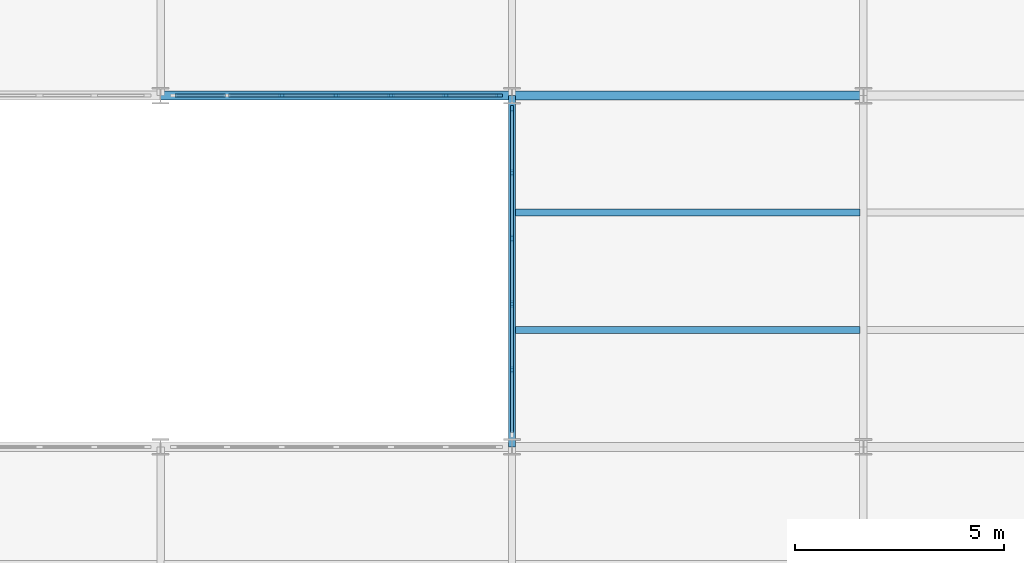
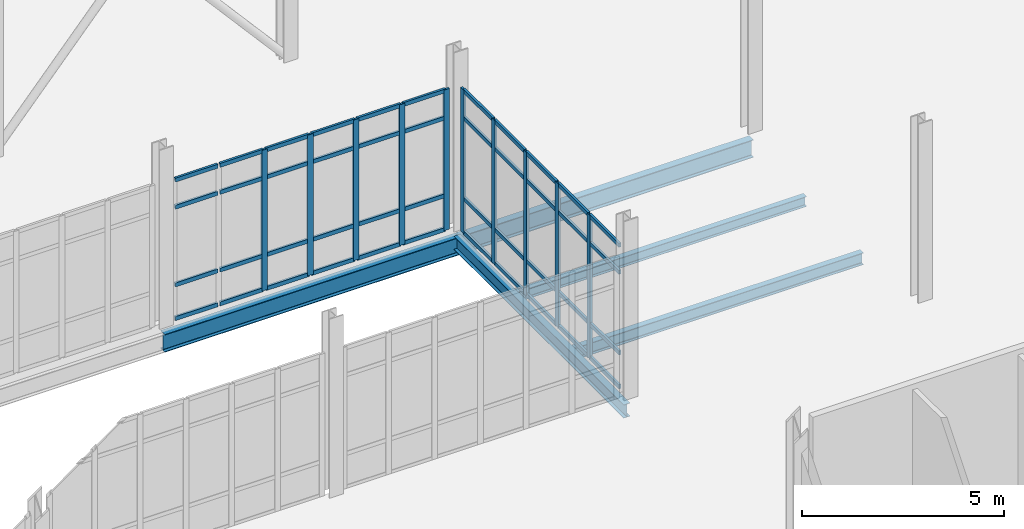
# One storey, part 36 of 111: 54 members, 5 beams, 2 elements without a shape of their own.
"""IFC4 building model written with IfcOpenShell, lengths in metres."""

from ifc_helpers import new_model, si_unit, direction, frame, origin, origin_2d, place, context, subcontext, project, spatial, rectangle, i_section, extrude, material, layer, layer_set, material_profile, profile_set, type_object, element, aggregate, save


model = new_model("IFC4")

# Units and contexts
model_context = context("Model", 3, precision=1e-05, world=origin(), true_north=direction((0.0, 1.0)))
body_context = subcontext(model_context, "Body", "Model", "MODEL_VIEW")
ifc_project = project(units=[si_unit("LENGTHUNIT", "METRE"), si_unit("AREAUNIT", "SQUARE_METRE"), si_unit("VOLUMEUNIT", "CUBIC_METRE"), si_unit("PLANEANGLEUNIT", "RADIAN"), si_unit("MASSUNIT", "GRAM", prefix="KILO"), si_unit("THERMODYNAMICTEMPERATUREUNIT", "KELVIN"), si_unit("POWERUNIT", "WATT")], contexts=[model_context])

# Site, building, storey
site_placement = place(None, origin())
site = spatial("IfcSite", under=ifc_project, at=site_placement, CompositionType="ELEMENT")
building_placement = place(site_placement, origin())
building = spatial("IfcBuilding", under=site, at=building_placement, Name="Tembeka Court Mobility Hub", CompositionType="ELEMENT")
storey_placement = place(building_placement, origin())
storey = spatial("IfcBuildingStorey", under=building, at=storey_placement, Name="L00", CompositionType="ELEMENT", Elevation=0.0)

# Beams
ifc_material_1 = material(Name="Steel S355", Category="steel")
ifc_material_profile_1 = material_profile(ifc_material_1, i_section(OverallWidth=0.177978515625, OverallDepth=0.406005859375, WebThickness=0.0078125, FlangeThickness=0.0126953125, FilletRadius=0.01025390625, at=origin_2d()), Name="UKB 406x178x60")
ifc_profile_set_1 = profile_set([ifc_material_profile_1], Name="Steel S355")
beam_type_1 = type_object("IfcBeamType", Name="BM-B02", PredefinedType="BEAM", material=ifc_profile_set_1)
beam_1_placement = place(storey_placement, frame((58.800048828125, 55.199951171875, -0.48291015625), z_axis=(0.0, 1.0, 0.0), x_axis=(-1.0, 0.0, 0.0)))
element("IfcBeam", 1, at=beam_1_placement, inside=storey, type_object=beam_type_1, Name="Beam B02 (BM-L00-Y0229)", PredefinedType="BEAM", context=body_context, shape_type="SweptSolid", body=[
    extrude(i_section(OverallWidth=0.177978515625, OverallDepth=0.406005859375, WebThickness=0.0078125, FlangeThickness=0.0126953125, FilletRadius=0.01025390625, at=origin_2d()), origin(), (0.0, 0.0, 1.0), 8.400146484375),
])
ifc_material_profile_2 = material_profile(ifc_material_1, i_section(OverallWidth=0.2099609375, OverallDepth=0.537109375, WebThickness=0.0107421875, FlangeThickness=0.017333984375, FilletRadius=0.0126953125, at=origin_2d()), Name="UKB 533x210x101")
ifc_profile_set_2 = profile_set([ifc_material_profile_2], Name="Steel S355")
beam_type_2 = type_object("IfcBeamType", Name="BM-G03", PredefinedType="USERDEFINED", material=ifc_profile_set_2)
beam_2_placement = place(storey_placement, frame((50.39990234375, 63.60009765625, -0.548583984375), z_axis=(1.0, 0.0, 0.0), x_axis=(0.0, 1.0, 0.0)))
element("IfcBeam", 2, at=beam_2_placement, inside=storey, type_object=beam_type_2, Name="Beam G03 (BM-L00-X0096)", ObjectType="GIRDER", PredefinedType="USERDEFINED", context=body_context, shape_type="SweptSolid", body=[
    extrude(i_section(OverallWidth=0.2099609375, OverallDepth=0.537109375, WebThickness=0.0107421875, FlangeThickness=0.017333984375, FilletRadius=0.0126953125, at=origin_2d()), origin(), (0.0, 0.0, 1.0), 8.400146484375),
])
beam_3_placement = place(storey_placement, frame((58.800048828125, 63.60009765625, -0.548583984375), z_axis=(1.0, 0.0, 0.0), x_axis=(0.0, 1.0, 0.0)))
element("IfcBeam", 3, at=beam_3_placement, inside=storey, type_object=beam_type_2, Name="Beam G03 (BM-L00-X0097)", ObjectType="GIRDER", PredefinedType="USERDEFINED", context=body_context, shape_type="SweptSolid", body=[
    extrude(i_section(OverallWidth=0.2099609375, OverallDepth=0.537109375, WebThickness=0.0107421875, FlangeThickness=0.017333984375, FilletRadius=0.0126953125, at=origin_2d()), origin(), (0.0, 0.0, 1.0), 8.39990234375),
])
ifc_material_profile_3 = material_profile(ifc_material_1, i_section(OverallWidth=0.1650390625, OverallDepth=0.303955078125, WebThickness=0.006103515625, FlangeThickness=0.01025390625, FilletRadius=0.0087890625, at=origin_2d()), Name="UKB 305x165x40")
ifc_profile_set_3 = profile_set([ifc_material_profile_3], Name="Steel S355")
beam_type_3 = type_object("IfcBeamType", Name="BM-J02", PredefinedType="JOIST", material=ifc_profile_set_3)
beam_4_placement = place(storey_placement, frame((58.884033203125, 60.800048828125, -0.431884765625), z_axis=(1.0, 0.0, 0.0), x_axis=(0.0, 1.0, 0.0)))
element("IfcBeam", 4, at=beam_4_placement, inside=storey, type_object=beam_type_3, Name="Beam J02 (JST-L00-0460)", PredefinedType="JOIST", context=body_context, shape_type="SweptSolid", body=[
    extrude(i_section(OverallWidth=0.1650390625, OverallDepth=0.303955078125, WebThickness=0.006103515625, FlangeThickness=0.01025390625, FilletRadius=0.0087890625, at=origin_2d()), origin(), (0.0, 0.0, 1.0), 8.23193359375),
])
ifc_material_profile_4 = material_profile(ifc_material_1, i_section(OverallWidth=0.169921875, OverallDepth=0.360107421875, WebThickness=0.008056640625, FlangeThickness=0.0126953125, FilletRadius=0.01806640625, at=origin_2d()), Name="IPE 360")
ifc_profile_set_4 = profile_set([ifc_material_profile_4], Name="Steel S355")
beam_type_4 = type_object("IfcBeamType", Name="BM-J03", PredefinedType="JOIST", material=ifc_profile_set_4)
beam_5_placement = place(storey_placement, frame((58.884033203125, 58.0, -0.4599609375), z_axis=(1.0, 0.0, 0.0), x_axis=(0.0, 1.0, 0.0)))
element("IfcBeam", 5, at=beam_5_placement, inside=storey, type_object=beam_type_4, Name="Beam J03 (JST-L00-0459)", PredefinedType="JOIST", context=body_context, shape_type="SweptSolid", body=[
    extrude(i_section(OverallWidth=0.169921875, OverallDepth=0.360107421875, WebThickness=0.008056640625, FlangeThickness=0.0126953125, FilletRadius=0.01806640625, at=origin_2d()), origin(), (0.0, 0.0, 1.0), 8.23193359375),
])

# Curtain wall, members
ifc_material_2 = material(Name="Anodised aluminium 6063-T6", Category="aluminium")
ifc_layer_1 = layer(ifc_material_2, 0.159912109375)
ifc_layer_set_1 = layer_set([ifc_layer_1], Name="Anodised aluminium 6063-T6")
curtain_wall_type_1 = type_object("IfcCurtainWallType", Name="CW-SYS23", PredefinedType="USERDEFINED", material=ifc_layer_set_1)
curtain_wall_1_placement = place(storey_placement, origin())
curtain_wall_1 = element("IfcCurtainWall", 6, at=curtain_wall_1_placement, inside=storey, type_object=curtain_wall_type_1, Name="Unitised curtain wall CW23 (CW-L00-042)", ObjectType="UNITISED GLAZING", PredefinedType="USERDEFINED")
ifc_material_profile_5 = material_profile(ifc_material_2, rectangle(XDim=0.06494140625, YDim=0.159912109375, at=origin_2d()), Name="ALU-MUL 65x160")
ifc_profile_set_5 = profile_set([ifc_material_profile_5], Name="Anodised aluminium 6063-T6")
member_type_1 = type_object("IfcMemberType", Name="CW-MUL01", PredefinedType="MULLION", material=ifc_profile_set_5)
member_1_placement = place(storey_placement, frame((53.293212890625, 63.60009765625, 0.0), z_axis=(0.0, 0.0, 1.0), x_axis=(0.0, 1.0, 0.0)))
member_1 = element("IfcMember", 7, at=member_1_placement, type_object=member_type_1, Name="CW23 mullion 3", PredefinedType="MULLION", context=body_context, shape_type="SweptSolid", body=[
    extrude(rectangle(XDim=0.06494140625, YDim=0.159912109375, at=origin_2d()), origin(), (0.0, 0.0, 1.0), 4.2451171875),
])
member_2_placement = place(storey_placement, frame((54.60009765625, 63.60009765625, 0.0), z_axis=(0.0, 0.0, 1.0), x_axis=(0.0, 1.0, 0.0)))
member_2 = element("IfcMember", 8, at=member_2_placement, type_object=member_type_1, Name="CW23 mullion 4", PredefinedType="MULLION", context=body_context, shape_type="SweptSolid", body=[
    extrude(rectangle(XDim=0.06494140625, YDim=0.159912109375, at=origin_2d()), origin(), (0.0, 0.0, 1.0), 4.2451171875),
])
member_3_placement = place(storey_placement, frame((55.90673828125, 63.60009765625, 0.0), z_axis=(0.0, 0.0, 1.0), x_axis=(0.0, 1.0, 0.0)))
member_3 = element("IfcMember", 9, at=member_3_placement, type_object=member_type_1, Name="CW23 mullion 5", PredefinedType="MULLION", context=body_context, shape_type="SweptSolid", body=[
    extrude(rectangle(XDim=0.06494140625, YDim=0.159912109375, at=origin_2d()), origin(), (0.0, 0.0, 1.0), 4.2451171875),
])
member_4_placement = place(storey_placement, frame((57.21337890625, 63.60009765625, 0.0), z_axis=(0.0, 0.0, 1.0), x_axis=(0.0, 1.0, 0.0)))
member_4 = element("IfcMember", 10, at=member_4_placement, type_object=member_type_1, Name="CW23 mullion 6", PredefinedType="MULLION", context=body_context, shape_type="SweptSolid", body=[
    extrude(rectangle(XDim=0.06494140625, YDim=0.159912109375, at=origin_2d()), origin(), (0.0, 0.0, 1.0), 4.2451171875),
])
member_5_placement = place(storey_placement, frame((58.487548828125, 63.60009765625, 0.0), z_axis=(0.0, 0.0, 1.0), x_axis=(0.0, 1.0, 0.0)))
member_5 = element("IfcMember", 11, at=member_5_placement, type_object=member_type_1, Name="CW23 mullion 7", PredefinedType="MULLION", context=body_context, shape_type="SweptSolid", body=[
    extrude(rectangle(XDim=0.06494140625, YDim=0.159912109375, at=origin_2d()), origin(), (0.0, 0.0, 1.0), 4.2451171875),
])

ifc_layer_2 = layer(ifc_material_2, 0.159912109375)
ifc_layer_set_2 = layer_set([ifc_layer_2], Name="Anodised aluminium 6063-T6")
curtain_wall_type_2 = type_object("IfcCurtainWallType", Name="CW-SYS01", PredefinedType="USERDEFINED", material=ifc_layer_set_2)
curtain_wall_2_placement = place(storey_placement, origin())
curtain_wall_2 = element("IfcCurtainWall", 12, at=curtain_wall_2_placement, inside=storey, type_object=curtain_wall_type_2, Name="Unitised curtain wall CW01 (CW-L00-044)", ObjectType="UNITISED GLAZING", PredefinedType="USERDEFINED")
member_6_placement = place(storey_placement, frame((58.800048828125, 57.048095703125, 0.0), z_axis=(0.0, 0.0, 1.0), x_axis=(-1.0, 0.0, 0.0)))
member_6 = element("IfcMember", 13, at=member_6_placement, type_object=member_type_1, Name="CW01 mullion 2", PredefinedType="MULLION", context=body_context, shape_type="SweptSolid", body=[
    extrude(rectangle(XDim=0.06494140625, YDim=0.159912109375, at=origin_2d()), origin(), (0.0, 0.0, 1.0), 4.3349609375),
])
member_7_placement = place(storey_placement, frame((58.800048828125, 58.615966796875, 0.0), z_axis=(0.0, 0.0, 1.0), x_axis=(-1.0, 0.0, 0.0)))
member_7 = element("IfcMember", 14, at=member_7_placement, type_object=member_type_1, Name="CW01 mullion 3", PredefinedType="MULLION", context=body_context, shape_type="SweptSolid", body=[
    extrude(rectangle(XDim=0.06494140625, YDim=0.159912109375, at=origin_2d()), origin(), (0.0, 0.0, 1.0), 4.3349609375),
])
member_8_placement = place(storey_placement, frame((58.800048828125, 60.18408203125, 0.0), z_axis=(0.0, 0.0, 1.0), x_axis=(-1.0, 0.0, 0.0)))
member_8 = element("IfcMember", 15, at=member_8_placement, type_object=member_type_1, Name="CW01 mullion 4", PredefinedType="MULLION", context=body_context, shape_type="SweptSolid", body=[
    extrude(rectangle(XDim=0.06494140625, YDim=0.159912109375, at=origin_2d()), origin(), (0.0, 0.0, 1.0), 4.3349609375),
])
member_9_placement = place(storey_placement, frame((58.800048828125, 61.751953125, 0.0), z_axis=(0.0, 0.0, 1.0), x_axis=(-1.0, 0.0, 0.0)))
member_9 = element("IfcMember", 16, at=member_9_placement, type_object=member_type_1, Name="CW01 mullion 5", PredefinedType="MULLION", context=body_context, shape_type="SweptSolid", body=[
    extrude(rectangle(XDim=0.06494140625, YDim=0.159912109375, at=origin_2d()), origin(), (0.0, 0.0, 1.0), 4.3349609375),
])
member_10_placement = place(storey_placement, frame((58.800048828125, 63.28759765625, 0.0), z_axis=(0.0, 0.0, 1.0), x_axis=(-1.0, 0.0, 0.0)))
member_10 = element("IfcMember", 17, at=member_10_placement, type_object=member_type_1, Name="CW01 mullion 6", PredefinedType="MULLION", context=body_context, shape_type="SweptSolid", body=[
    extrude(rectangle(XDim=0.06494140625, YDim=0.159912109375, at=origin_2d()), origin(), (0.0, 0.0, 1.0), 4.3349609375),
])

# Member
ifc_material_profile_6 = material_profile(ifc_material_2, rectangle(XDim=0.06494140625, YDim=0.1201171875, at=origin_2d()), Name="ALU-TRN 65x120")
ifc_profile_set_6 = profile_set([ifc_material_profile_6], Name="Anodised aluminium 6063-T6")
member_type_2 = type_object("IfcMemberType", Name="CW-TRN01", PredefinedType="USERDEFINED", material=ifc_profile_set_6)
member_11_placement = place(storey_placement, frame((50.7451171875, 63.60009765625, 0.032470703125), z_axis=(1.0, 0.0, 0.0), x_axis=(0.0, 1.0, 0.0)))
member_11 = element("IfcMember", 18, at=member_11_placement, type_object=member_type_2, Name="CW23 transom 1.1", ObjectType="TRANSOM", PredefinedType="USERDEFINED", context=body_context, shape_type="SweptSolid", body=[
    extrude(rectangle(XDim=0.06494140625, YDim=0.1201171875, at=origin_2d()), origin(), (0.0, 0.0, 1.0), 1.208984375),
])

member_12_placement = place(storey_placement, frame((50.7451171875, 63.60009765625, 1.050048828125), z_axis=(1.0, 0.0, 0.0), x_axis=(0.0, 1.0, 0.0)))
member_12 = element("IfcMember", 19, at=member_12_placement, type_object=member_type_2, Name="CW23 transom 1.2", ObjectType="TRANSOM", PredefinedType="USERDEFINED", context=body_context, shape_type="SweptSolid", body=[
    extrude(rectangle(XDim=0.06494140625, YDim=0.1201171875, at=origin_2d()), origin(), (0.0, 0.0, 1.0), 1.208984375),
])

member_13_placement = place(storey_placement, frame((50.7451171875, 63.60009765625, 3.39501953125), z_axis=(1.0, 0.0, 0.0), x_axis=(0.0, 1.0, 0.0)))
member_13 = element("IfcMember", 20, at=member_13_placement, type_object=member_type_2, Name="CW23 transom 1.3", ObjectType="TRANSOM", PredefinedType="USERDEFINED", context=body_context, shape_type="SweptSolid", body=[
    extrude(rectangle(XDim=0.06494140625, YDim=0.1201171875, at=origin_2d()), origin(), (0.0, 0.0, 1.0), 1.208984375),
])

member_14_placement = place(storey_placement, frame((50.7451171875, 63.60009765625, 4.21240234375), z_axis=(1.0, 0.0, 0.0), x_axis=(0.0, 1.0, 0.0)))
member_14 = element("IfcMember", 21, at=member_14_placement, type_object=member_type_2, Name="CW23 transom 1.4", ObjectType="TRANSOM", PredefinedType="USERDEFINED", context=body_context, shape_type="SweptSolid", body=[
    extrude(rectangle(XDim=0.06494140625, YDim=0.1201171875, at=origin_2d()), origin(), (0.0, 0.0, 1.0), 1.208984375),
])

member_15_placement = place(storey_placement, frame((52.019287109375, 63.60009765625, 0.032470703125), z_axis=(1.0, 0.0, 0.0), x_axis=(0.0, 1.0, 0.0)))
member_15 = element("IfcMember", 22, at=member_15_placement, type_object=member_type_2, Name="CW23 transom 2.1", ObjectType="TRANSOM", PredefinedType="USERDEFINED", context=body_context, shape_type="SweptSolid", body=[
    extrude(rectangle(XDim=0.06494140625, YDim=0.1201171875, at=origin_2d()), origin(), (0.0, 0.0, 1.0), 1.241455078125),
])

member_16_placement = place(storey_placement, frame((52.019287109375, 63.60009765625, 1.050048828125), z_axis=(1.0, 0.0, 0.0), x_axis=(0.0, 1.0, 0.0)))
member_16 = element("IfcMember", 23, at=member_16_placement, type_object=member_type_2, Name="CW23 transom 2.2", ObjectType="TRANSOM", PredefinedType="USERDEFINED", context=body_context, shape_type="SweptSolid", body=[
    extrude(rectangle(XDim=0.06494140625, YDim=0.1201171875, at=origin_2d()), origin(), (0.0, 0.0, 1.0), 1.241455078125),
])

member_17_placement = place(storey_placement, frame((52.019287109375, 63.60009765625, 3.39501953125), z_axis=(1.0, 0.0, 0.0), x_axis=(0.0, 1.0, 0.0)))
member_17 = element("IfcMember", 24, at=member_17_placement, type_object=member_type_2, Name="CW23 transom 2.3", ObjectType="TRANSOM", PredefinedType="USERDEFINED", context=body_context, shape_type="SweptSolid", body=[
    extrude(rectangle(XDim=0.06494140625, YDim=0.1201171875, at=origin_2d()), origin(), (0.0, 0.0, 1.0), 1.241455078125),
])

member_18_placement = place(storey_placement, frame((52.019287109375, 63.60009765625, 4.21240234375), z_axis=(1.0, 0.0, 0.0), x_axis=(0.0, 1.0, 0.0)))
member_18 = element("IfcMember", 25, at=member_18_placement, type_object=member_type_2, Name="CW23 transom 2.4", ObjectType="TRANSOM", PredefinedType="USERDEFINED", context=body_context, shape_type="SweptSolid", body=[
    extrude(rectangle(XDim=0.06494140625, YDim=0.1201171875, at=origin_2d()), origin(), (0.0, 0.0, 1.0), 1.241455078125),
])

member_19_placement = place(storey_placement, frame((53.325927734375, 63.60009765625, 0.032470703125), z_axis=(1.0, 0.0, 0.0), x_axis=(0.0, 1.0, 0.0)))
member_19 = element("IfcMember", 26, at=member_19_placement, type_object=member_type_2, Name="CW23 transom 3.1", ObjectType="TRANSOM", PredefinedType="USERDEFINED", context=body_context, shape_type="SweptSolid", body=[
    extrude(rectangle(XDim=0.06494140625, YDim=0.1201171875, at=origin_2d()), origin(), (0.0, 0.0, 1.0), 1.241455078125),
])

member_20_placement = place(storey_placement, frame((53.325927734375, 63.60009765625, 1.050048828125), z_axis=(1.0, 0.0, 0.0), x_axis=(0.0, 1.0, 0.0)))
member_20 = element("IfcMember", 27, at=member_20_placement, type_object=member_type_2, Name="CW23 transom 3.2", ObjectType="TRANSOM", PredefinedType="USERDEFINED", context=body_context, shape_type="SweptSolid", body=[
    extrude(rectangle(XDim=0.06494140625, YDim=0.1201171875, at=origin_2d()), origin(), (0.0, 0.0, 1.0), 1.241455078125),
])

member_21_placement = place(storey_placement, frame((53.325927734375, 63.60009765625, 3.39501953125), z_axis=(1.0, 0.0, 0.0), x_axis=(0.0, 1.0, 0.0)))
member_21 = element("IfcMember", 28, at=member_21_placement, type_object=member_type_2, Name="CW23 transom 3.3", ObjectType="TRANSOM", PredefinedType="USERDEFINED", context=body_context, shape_type="SweptSolid", body=[
    extrude(rectangle(XDim=0.06494140625, YDim=0.1201171875, at=origin_2d()), origin(), (0.0, 0.0, 1.0), 1.241455078125),
])

member_22_placement = place(storey_placement, frame((53.325927734375, 63.60009765625, 4.21240234375), z_axis=(1.0, 0.0, 0.0), x_axis=(0.0, 1.0, 0.0)))
member_22 = element("IfcMember", 29, at=member_22_placement, type_object=member_type_2, Name="CW23 transom 3.4", ObjectType="TRANSOM", PredefinedType="USERDEFINED", context=body_context, shape_type="SweptSolid", body=[
    extrude(rectangle(XDim=0.06494140625, YDim=0.1201171875, at=origin_2d()), origin(), (0.0, 0.0, 1.0), 1.241455078125),
])

member_23_placement = place(storey_placement, frame((54.632568359375, 63.60009765625, 0.032470703125), z_axis=(1.0, 0.0, 0.0), x_axis=(0.0, 1.0, 0.0)))
member_23 = element("IfcMember", 30, at=member_23_placement, type_object=member_type_2, Name="CW23 transom 4.1", ObjectType="TRANSOM", PredefinedType="USERDEFINED", context=body_context, shape_type="SweptSolid", body=[
    extrude(rectangle(XDim=0.06494140625, YDim=0.1201171875, at=origin_2d()), origin(), (0.0, 0.0, 1.0), 1.24169921875),
])

member_24_placement = place(storey_placement, frame((54.632568359375, 63.60009765625, 1.050048828125), z_axis=(1.0, 0.0, 0.0), x_axis=(0.0, 1.0, 0.0)))
member_24 = element("IfcMember", 31, at=member_24_placement, type_object=member_type_2, Name="CW23 transom 4.2", ObjectType="TRANSOM", PredefinedType="USERDEFINED", context=body_context, shape_type="SweptSolid", body=[
    extrude(rectangle(XDim=0.06494140625, YDim=0.1201171875, at=origin_2d()), origin(), (0.0, 0.0, 1.0), 1.24169921875),
])

member_25_placement = place(storey_placement, frame((54.632568359375, 63.60009765625, 3.39501953125), z_axis=(1.0, 0.0, 0.0), x_axis=(0.0, 1.0, 0.0)))
member_25 = element("IfcMember", 32, at=member_25_placement, type_object=member_type_2, Name="CW23 transom 4.3", ObjectType="TRANSOM", PredefinedType="USERDEFINED", context=body_context, shape_type="SweptSolid", body=[
    extrude(rectangle(XDim=0.06494140625, YDim=0.1201171875, at=origin_2d()), origin(), (0.0, 0.0, 1.0), 1.24169921875),
])

member_26_placement = place(storey_placement, frame((54.632568359375, 63.60009765625, 4.21240234375), z_axis=(1.0, 0.0, 0.0), x_axis=(0.0, 1.0, 0.0)))
member_26 = element("IfcMember", 33, at=member_26_placement, type_object=member_type_2, Name="CW23 transom 4.4", ObjectType="TRANSOM", PredefinedType="USERDEFINED", context=body_context, shape_type="SweptSolid", body=[
    extrude(rectangle(XDim=0.06494140625, YDim=0.1201171875, at=origin_2d()), origin(), (0.0, 0.0, 1.0), 1.24169921875),
])

member_27_placement = place(storey_placement, frame((55.939208984375, 63.60009765625, 0.032470703125), z_axis=(1.0, 0.0, 0.0), x_axis=(0.0, 1.0, 0.0)))
member_27 = element("IfcMember", 34, at=member_27_placement, type_object=member_type_2, Name="CW23 transom 5.1", ObjectType="TRANSOM", PredefinedType="USERDEFINED", context=body_context, shape_type="SweptSolid", body=[
    extrude(rectangle(XDim=0.06494140625, YDim=0.1201171875, at=origin_2d()), origin(), (0.0, 0.0, 1.0), 1.24169921875),
])

member_28_placement = place(storey_placement, frame((55.939208984375, 63.60009765625, 1.050048828125), z_axis=(1.0, 0.0, 0.0), x_axis=(0.0, 1.0, 0.0)))
member_28 = element("IfcMember", 35, at=member_28_placement, type_object=member_type_2, Name="CW23 transom 5.2", ObjectType="TRANSOM", PredefinedType="USERDEFINED", context=body_context, shape_type="SweptSolid", body=[
    extrude(rectangle(XDim=0.06494140625, YDim=0.1201171875, at=origin_2d()), origin(), (0.0, 0.0, 1.0), 1.24169921875),
])

member_29_placement = place(storey_placement, frame((55.939208984375, 63.60009765625, 3.39501953125), z_axis=(1.0, 0.0, 0.0), x_axis=(0.0, 1.0, 0.0)))
member_29 = element("IfcMember", 36, at=member_29_placement, type_object=member_type_2, Name="CW23 transom 5.3", ObjectType="TRANSOM", PredefinedType="USERDEFINED", context=body_context, shape_type="SweptSolid", body=[
    extrude(rectangle(XDim=0.06494140625, YDim=0.1201171875, at=origin_2d()), origin(), (0.0, 0.0, 1.0), 1.24169921875),
])

member_30_placement = place(storey_placement, frame((55.939208984375, 63.60009765625, 4.21240234375), z_axis=(1.0, 0.0, 0.0), x_axis=(0.0, 1.0, 0.0)))
member_30 = element("IfcMember", 37, at=member_30_placement, type_object=member_type_2, Name="CW23 transom 5.4", ObjectType="TRANSOM", PredefinedType="USERDEFINED", context=body_context, shape_type="SweptSolid", body=[
    extrude(rectangle(XDim=0.06494140625, YDim=0.1201171875, at=origin_2d()), origin(), (0.0, 0.0, 1.0), 1.24169921875),
])

member_31_placement = place(storey_placement, frame((57.245849609375, 63.60009765625, 0.032470703125), z_axis=(1.0, 0.0, 0.0), x_axis=(0.0, 1.0, 0.0)))
member_31 = element("IfcMember", 38, at=member_31_placement, type_object=member_type_2, Name="CW23 transom 6.1", ObjectType="TRANSOM", PredefinedType="USERDEFINED", context=body_context, shape_type="SweptSolid", body=[
    extrude(rectangle(XDim=0.06494140625, YDim=0.1201171875, at=origin_2d()), origin(), (0.0, 0.0, 1.0), 1.209228515625),
])

member_32_placement = place(storey_placement, frame((57.245849609375, 63.60009765625, 1.050048828125), z_axis=(1.0, 0.0, 0.0), x_axis=(0.0, 1.0, 0.0)))
member_32 = element("IfcMember", 39, at=member_32_placement, type_object=member_type_2, Name="CW23 transom 6.2", ObjectType="TRANSOM", PredefinedType="USERDEFINED", context=body_context, shape_type="SweptSolid", body=[
    extrude(rectangle(XDim=0.06494140625, YDim=0.1201171875, at=origin_2d()), origin(), (0.0, 0.0, 1.0), 1.209228515625),
])

member_33_placement = place(storey_placement, frame((57.245849609375, 63.60009765625, 3.39501953125), z_axis=(1.0, 0.0, 0.0), x_axis=(0.0, 1.0, 0.0)))
member_33 = element("IfcMember", 40, at=member_33_placement, type_object=member_type_2, Name="CW23 transom 6.3", ObjectType="TRANSOM", PredefinedType="USERDEFINED", context=body_context, shape_type="SweptSolid", body=[
    extrude(rectangle(XDim=0.06494140625, YDim=0.1201171875, at=origin_2d()), origin(), (0.0, 0.0, 1.0), 1.209228515625),
])

member_34_placement = place(storey_placement, frame((57.245849609375, 63.60009765625, 4.21240234375), z_axis=(1.0, 0.0, 0.0), x_axis=(0.0, 1.0, 0.0)))
member_34 = element("IfcMember", 41, at=member_34_placement, type_object=member_type_2, Name="CW23 transom 6.4", ObjectType="TRANSOM", PredefinedType="USERDEFINED", context=body_context, shape_type="SweptSolid", body=[
    extrude(rectangle(XDim=0.06494140625, YDim=0.1201171875, at=origin_2d()), origin(), (0.0, 0.0, 1.0), 1.209228515625),
])

aggregate(curtain_wall_1, [member_1, member_2, member_3, member_4, member_5, member_11, member_12, member_13, member_14, member_15, member_16, member_17, member_18, member_19, member_20, member_21, member_22, member_23, member_24, member_25, member_26, member_27, member_28, member_29, member_30, member_31, member_32, member_33, member_34])

member_35_placement = place(storey_placement, frame((58.800048828125, 55.544921875, 0.032470703125), z_axis=(0.0, 1.0, 0.0), x_axis=(-1.0, 0.0, 0.0)))
member_35 = element("IfcMember", 42, at=member_35_placement, type_object=member_type_2, Name="CW01 transom 1.1", ObjectType="TRANSOM", PredefinedType="USERDEFINED", context=body_context, shape_type="SweptSolid", body=[
    extrude(rectangle(XDim=0.06494140625, YDim=0.1201171875, at=origin_2d()), origin(), (0.0, 0.0, 1.0), 1.470458984375),
])

member_36_placement = place(storey_placement, frame((58.800048828125, 55.544921875, 1.050048828125), z_axis=(0.0, 1.0, 0.0), x_axis=(-1.0, 0.0, 0.0)))
member_36 = element("IfcMember", 43, at=member_36_placement, type_object=member_type_2, Name="CW01 transom 1.2", ObjectType="TRANSOM", PredefinedType="USERDEFINED", context=body_context, shape_type="SweptSolid", body=[
    extrude(rectangle(XDim=0.06494140625, YDim=0.1201171875, at=origin_2d()), origin(), (0.0, 0.0, 1.0), 1.470458984375),
])

member_37_placement = place(storey_placement, frame((58.800048828125, 55.544921875, 3.485107421875), z_axis=(0.0, 1.0, 0.0), x_axis=(-1.0, 0.0, 0.0)))
member_37 = element("IfcMember", 44, at=member_37_placement, type_object=member_type_2, Name="CW01 transom 1.3", ObjectType="TRANSOM", PredefinedType="USERDEFINED", context=body_context, shape_type="SweptSolid", body=[
    extrude(rectangle(XDim=0.06494140625, YDim=0.1201171875, at=origin_2d()), origin(), (0.0, 0.0, 1.0), 1.470458984375),
])

member_38_placement = place(storey_placement, frame((58.800048828125, 55.544921875, 4.302490234375), z_axis=(0.0, 1.0, 0.0), x_axis=(-1.0, 0.0, 0.0)))
member_38 = element("IfcMember", 45, at=member_38_placement, type_object=member_type_2, Name="CW01 transom 1.4", ObjectType="TRANSOM", PredefinedType="USERDEFINED", context=body_context, shape_type="SweptSolid", body=[
    extrude(rectangle(XDim=0.06494140625, YDim=0.1201171875, at=origin_2d()), origin(), (0.0, 0.0, 1.0), 1.470458984375),
])

member_39_placement = place(storey_placement, frame((58.800048828125, 57.08056640625, 0.032470703125), z_axis=(0.0, 1.0, 0.0), x_axis=(-1.0, 0.0, 0.0)))
member_39 = element("IfcMember", 46, at=member_39_placement, type_object=member_type_2, Name="CW01 transom 2.1", ObjectType="TRANSOM", PredefinedType="USERDEFINED", context=body_context, shape_type="SweptSolid", body=[
    extrude(rectangle(XDim=0.06494140625, YDim=0.1201171875, at=origin_2d()), origin(), (0.0, 0.0, 1.0), 1.5029296875),
])

member_40_placement = place(storey_placement, frame((58.800048828125, 57.08056640625, 1.050048828125), z_axis=(0.0, 1.0, 0.0), x_axis=(-1.0, 0.0, 0.0)))
member_40 = element("IfcMember", 47, at=member_40_placement, type_object=member_type_2, Name="CW01 transom 2.2", ObjectType="TRANSOM", PredefinedType="USERDEFINED", context=body_context, shape_type="SweptSolid", body=[
    extrude(rectangle(XDim=0.06494140625, YDim=0.1201171875, at=origin_2d()), origin(), (0.0, 0.0, 1.0), 1.5029296875),
])

member_41_placement = place(storey_placement, frame((58.800048828125, 57.08056640625, 3.485107421875), z_axis=(0.0, 1.0, 0.0), x_axis=(-1.0, 0.0, 0.0)))
member_41 = element("IfcMember", 48, at=member_41_placement, type_object=member_type_2, Name="CW01 transom 2.3", ObjectType="TRANSOM", PredefinedType="USERDEFINED", context=body_context, shape_type="SweptSolid", body=[
    extrude(rectangle(XDim=0.06494140625, YDim=0.1201171875, at=origin_2d()), origin(), (0.0, 0.0, 1.0), 1.5029296875),
])

member_42_placement = place(storey_placement, frame((58.800048828125, 57.08056640625, 4.302490234375), z_axis=(0.0, 1.0, 0.0), x_axis=(-1.0, 0.0, 0.0)))
member_42 = element("IfcMember", 49, at=member_42_placement, type_object=member_type_2, Name="CW01 transom 2.4", ObjectType="TRANSOM", PredefinedType="USERDEFINED", context=body_context, shape_type="SweptSolid", body=[
    extrude(rectangle(XDim=0.06494140625, YDim=0.1201171875, at=origin_2d()), origin(), (0.0, 0.0, 1.0), 1.5029296875),
])

member_43_placement = place(storey_placement, frame((58.800048828125, 58.6484375, 0.032470703125), z_axis=(0.0, 1.0, 0.0), x_axis=(-1.0, 0.0, 0.0)))
member_43 = element("IfcMember", 50, at=member_43_placement, type_object=member_type_2, Name="CW01 transom 3.1", ObjectType="TRANSOM", PredefinedType="USERDEFINED", context=body_context, shape_type="SweptSolid", body=[
    extrude(rectangle(XDim=0.06494140625, YDim=0.1201171875, at=origin_2d()), origin(), (0.0, 0.0, 1.0), 1.503173828125),
])

member_44_placement = place(storey_placement, frame((58.800048828125, 58.6484375, 1.050048828125), z_axis=(0.0, 1.0, 0.0), x_axis=(-1.0, 0.0, 0.0)))
member_44 = element("IfcMember", 51, at=member_44_placement, type_object=member_type_2, Name="CW01 transom 3.2", ObjectType="TRANSOM", PredefinedType="USERDEFINED", context=body_context, shape_type="SweptSolid", body=[
    extrude(rectangle(XDim=0.06494140625, YDim=0.1201171875, at=origin_2d()), origin(), (0.0, 0.0, 1.0), 1.503173828125),
])

member_45_placement = place(storey_placement, frame((58.800048828125, 58.6484375, 3.485107421875), z_axis=(0.0, 1.0, 0.0), x_axis=(-1.0, 0.0, 0.0)))
member_45 = element("IfcMember", 52, at=member_45_placement, type_object=member_type_2, Name="CW01 transom 3.3", ObjectType="TRANSOM", PredefinedType="USERDEFINED", context=body_context, shape_type="SweptSolid", body=[
    extrude(rectangle(XDim=0.06494140625, YDim=0.1201171875, at=origin_2d()), origin(), (0.0, 0.0, 1.0), 1.503173828125),
])

member_46_placement = place(storey_placement, frame((58.800048828125, 58.6484375, 4.302490234375), z_axis=(0.0, 1.0, 0.0), x_axis=(-1.0, 0.0, 0.0)))
member_46 = element("IfcMember", 53, at=member_46_placement, type_object=member_type_2, Name="CW01 transom 3.4", ObjectType="TRANSOM", PredefinedType="USERDEFINED", context=body_context, shape_type="SweptSolid", body=[
    extrude(rectangle(XDim=0.06494140625, YDim=0.1201171875, at=origin_2d()), origin(), (0.0, 0.0, 1.0), 1.503173828125),
])

member_47_placement = place(storey_placement, frame((58.800048828125, 60.216552734375, 0.032470703125), z_axis=(0.0, 1.0, 0.0), x_axis=(-1.0, 0.0, 0.0)))
member_47 = element("IfcMember", 54, at=member_47_placement, type_object=member_type_2, Name="CW01 transom 4.1", ObjectType="TRANSOM", PredefinedType="USERDEFINED", context=body_context, shape_type="SweptSolid", body=[
    extrude(rectangle(XDim=0.06494140625, YDim=0.1201171875, at=origin_2d()), origin(), (0.0, 0.0, 1.0), 1.5029296875),
])

member_48_placement = place(storey_placement, frame((58.800048828125, 60.216552734375, 1.050048828125), z_axis=(0.0, 1.0, 0.0), x_axis=(-1.0, 0.0, 0.0)))
member_48 = element("IfcMember", 55, at=member_48_placement, type_object=member_type_2, Name="CW01 transom 4.2", ObjectType="TRANSOM", PredefinedType="USERDEFINED", context=body_context, shape_type="SweptSolid", body=[
    extrude(rectangle(XDim=0.06494140625, YDim=0.1201171875, at=origin_2d()), origin(), (0.0, 0.0, 1.0), 1.5029296875),
])

member_49_placement = place(storey_placement, frame((58.800048828125, 60.216552734375, 3.485107421875), z_axis=(0.0, 1.0, 0.0), x_axis=(-1.0, 0.0, 0.0)))
member_49 = element("IfcMember", 56, at=member_49_placement, type_object=member_type_2, Name="CW01 transom 4.3", ObjectType="TRANSOM", PredefinedType="USERDEFINED", context=body_context, shape_type="SweptSolid", body=[
    extrude(rectangle(XDim=0.06494140625, YDim=0.1201171875, at=origin_2d()), origin(), (0.0, 0.0, 1.0), 1.5029296875),
])

member_50_placement = place(storey_placement, frame((58.800048828125, 60.216552734375, 4.302490234375), z_axis=(0.0, 1.0, 0.0), x_axis=(-1.0, 0.0, 0.0)))
member_50 = element("IfcMember", 57, at=member_50_placement, type_object=member_type_2, Name="CW01 transom 4.4", ObjectType="TRANSOM", PredefinedType="USERDEFINED", context=body_context, shape_type="SweptSolid", body=[
    extrude(rectangle(XDim=0.06494140625, YDim=0.1201171875, at=origin_2d()), origin(), (0.0, 0.0, 1.0), 1.5029296875),
])

member_51_placement = place(storey_placement, frame((58.800048828125, 61.784423828125, 0.032470703125), z_axis=(0.0, 1.0, 0.0), x_axis=(-1.0, 0.0, 0.0)))
member_51 = element("IfcMember", 58, at=member_51_placement, type_object=member_type_2, Name="CW01 transom 5.1", ObjectType="TRANSOM", PredefinedType="USERDEFINED", context=body_context, shape_type="SweptSolid", body=[
    extrude(rectangle(XDim=0.06494140625, YDim=0.1201171875, at=origin_2d()), origin(), (0.0, 0.0, 1.0), 1.470458984375),
])

member_52_placement = place(storey_placement, frame((58.800048828125, 61.784423828125, 1.050048828125), z_axis=(0.0, 1.0, 0.0), x_axis=(-1.0, 0.0, 0.0)))
member_52 = element("IfcMember", 59, at=member_52_placement, type_object=member_type_2, Name="CW01 transom 5.2", ObjectType="TRANSOM", PredefinedType="USERDEFINED", context=body_context, shape_type="SweptSolid", body=[
    extrude(rectangle(XDim=0.06494140625, YDim=0.1201171875, at=origin_2d()), origin(), (0.0, 0.0, 1.0), 1.470458984375),
])

member_53_placement = place(storey_placement, frame((58.800048828125, 61.784423828125, 3.485107421875), z_axis=(0.0, 1.0, 0.0), x_axis=(-1.0, 0.0, 0.0)))
member_53 = element("IfcMember", 60, at=member_53_placement, type_object=member_type_2, Name="CW01 transom 5.3", ObjectType="TRANSOM", PredefinedType="USERDEFINED", context=body_context, shape_type="SweptSolid", body=[
    extrude(rectangle(XDim=0.06494140625, YDim=0.1201171875, at=origin_2d()), origin(), (0.0, 0.0, 1.0), 1.470458984375),
])

member_54_placement = place(storey_placement, frame((58.800048828125, 61.784423828125, 4.302490234375), z_axis=(0.0, 1.0, 0.0), x_axis=(-1.0, 0.0, 0.0)))
member_54 = element("IfcMember", 61, at=member_54_placement, type_object=member_type_2, Name="CW01 transom 5.4", ObjectType="TRANSOM", PredefinedType="USERDEFINED", context=body_context, shape_type="SweptSolid", body=[
    extrude(rectangle(XDim=0.06494140625, YDim=0.1201171875, at=origin_2d()), origin(), (0.0, 0.0, 1.0), 1.470458984375),
])

aggregate(curtain_wall_2, [member_6, member_7, member_8, member_9, member_10, member_35, member_36, member_37, member_38, member_39, member_40, member_41, member_42, member_43, member_44, member_45, member_46, member_47, member_48, member_49, member_50, member_51, member_52, member_53, member_54])

save(model, "model.ifc")
